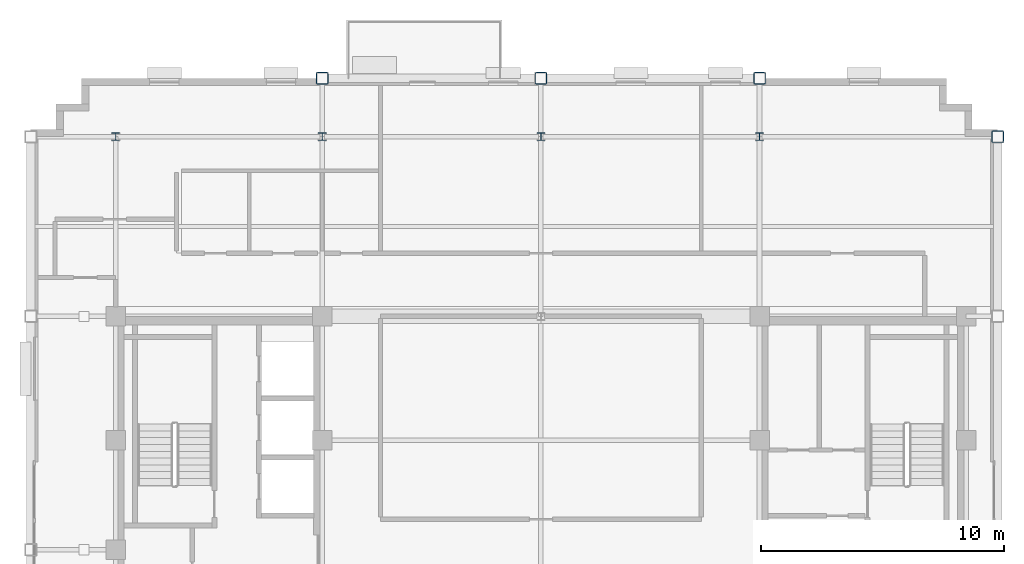
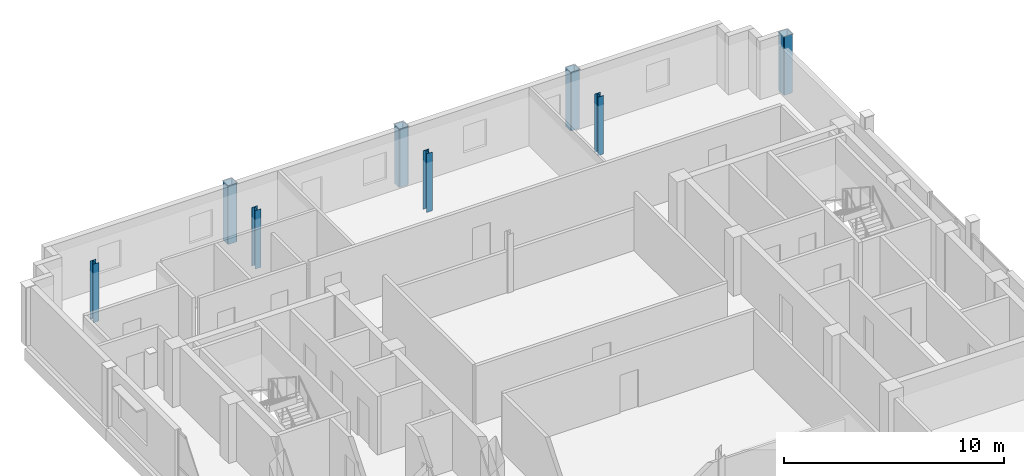
# One storey, part 3 of 15: 8 columns.
"""IFC4 building model written with IfcOpenShell, lengths in metres."""

from ifc_helpers import new_model, si_unit, direction, frame, origin, origin_2d, place, context, subcontext, project, spatial, hollow_rectangle, i_section, extrude, material, material_profile, profile_set, type_object, element, save


model = new_model("IFC4")

# Units and contexts
model_context = context("Model", 3, precision=1e-05, world=origin(), true_north=direction((0.0, 1.0)))
body_context = subcontext(model_context, "Body", "Model", "MODEL_VIEW")
ifc_project = project(units=[si_unit("LENGTHUNIT", "METRE"), si_unit("AREAUNIT", "SQUARE_METRE"), si_unit("VOLUMEUNIT", "CUBIC_METRE"), si_unit("PLANEANGLEUNIT", "RADIAN"), si_unit("MASSUNIT", "GRAM", prefix="KILO")], contexts=[model_context])

# Site, building, storey
site_placement = place(None, origin())
site = spatial("IfcSite", under=ifc_project, at=site_placement, CompositionType="ELEMENT")
building_placement = place(site_placement, origin())
building = spatial("IfcBuilding", under=site, at=building_placement, Name="Nuvemarco Arch Tower", CompositionType="ELEMENT")
storey_placement = place(building_placement, frame((0.0, 0.0, 283.5)))
storey = spatial("IfcBuildingStorey", under=building, at=storey_placement, Name="L75", CompositionType="ELEMENT", Elevation=283.5)

# Columns
ifc_material = material(Name="Steel S355", Category="steel")
ifc_material_profile_1 = material_profile(ifc_material, hollow_rectangle(XDim=0.5, YDim=0.5, WallThickness=0.031982421875, InnerFilletRadius=0.031982421875, OuterFilletRadius=0.06396484375, at=origin_2d()), Name="SHS500x500x32")
ifc_profile_set_1 = profile_set([ifc_material_profile_1], Name="Steel S355")
column_type_1 = type_object("IfcColumnType", Name="COL-EXO-500", PredefinedType="COLUMN", material=ifc_profile_set_1)
for number, where, z_axis, x_axis, name in (
    (1, (18.800048828125, 17.0, 0.0), (0.0, 0.0, 1.0), (1.0, 0.0, 0.0), "L75 column CX_+18.8_+17.0"),
    (2, (-9.0, 19.39990234375, 0.0), (0.0, 0.0, 1.0), (1.0, 0.0, 0.0), "L75 column CY_-9.0_+19.4"),
    (3, (0.0, 19.39990234375, 0.0), (0.0, 0.0, 1.0), (1.0, 0.0, 0.0), "L75 column CY_+0.0_+19.4"),
    (4, (9.0, 19.39990234375, 0.0), (0.0, 0.0, 1.0), (1.0, 0.0, 0.0), "L75 column CY_+9.0_+19.4"),
):
    element("IfcColumn", number, at=place(storey_placement, frame(where, z_axis=z_axis, x_axis=x_axis)), inside=storey, type_object=column_type_1, Name=name, PredefinedType="COLUMN", context=body_context, shape_type="SweptSolid", body=[
        extrude(hollow_rectangle(XDim=0.5, YDim=0.5, WallThickness=0.031982421875, InnerFilletRadius=0.031982421875, OuterFilletRadius=0.06396484375, at=origin_2d()), origin(), (0.0, 0.0, 1.0), 3.25),
    ])
ifc_material_profile_2 = material_profile(ifc_material, i_section(OverallWidth=0.31005859375, OverallDepth=0.31005859375, WebThickness=0.015380859375, FlangeThickness=0.015380859375, FilletRadius=0.014892578125, at=origin_2d()), Name="HP310x110")
ifc_profile_set_2 = profile_set([ifc_material_profile_2], Name="Steel S355")
column_type_2 = type_object("IfcColumnType", Name="COL-STL-HP310", PredefinedType="COLUMN", material=ifc_profile_set_2)
for number, where, z_axis, x_axis, name in (
    (5, (0.0, 17.0, 0.0), (0.0, 0.0, 1.0), (1.0, 0.0, 0.0), "L75 column CI_+0.0_+17.0"),
    (6, (-17.5, 17.0, 0.0), (0.0, 0.0, 1.0), (1.0, 0.0, 0.0), "L75 column CI_-17.5_+17.0"),
    (7, (-9.0, 17.0, 0.0), (0.0, 0.0, 1.0), (1.0, 0.0, 0.0), "L75 column CI_-9.0_+17.0"),
    (8, (9.0, 17.0, 0.0), (0.0, 0.0, 1.0), (1.0, 0.0, 0.0), "L75 column CI_+9.0_+17.0"),
):
    element("IfcColumn", number, at=place(storey_placement, frame(where, z_axis=z_axis, x_axis=x_axis)), inside=storey, type_object=column_type_2, Name=name, PredefinedType="COLUMN", context=body_context, shape_type="SweptSolid", body=[
        extrude(i_section(OverallWidth=0.31005859375, OverallDepth=0.31005859375, WebThickness=0.015380859375, FlangeThickness=0.015380859375, FilletRadius=0.014892578125, at=origin_2d()), origin(), (0.0, 0.0, 1.0), 3.25),
    ])

save(model, "model.ifc")
